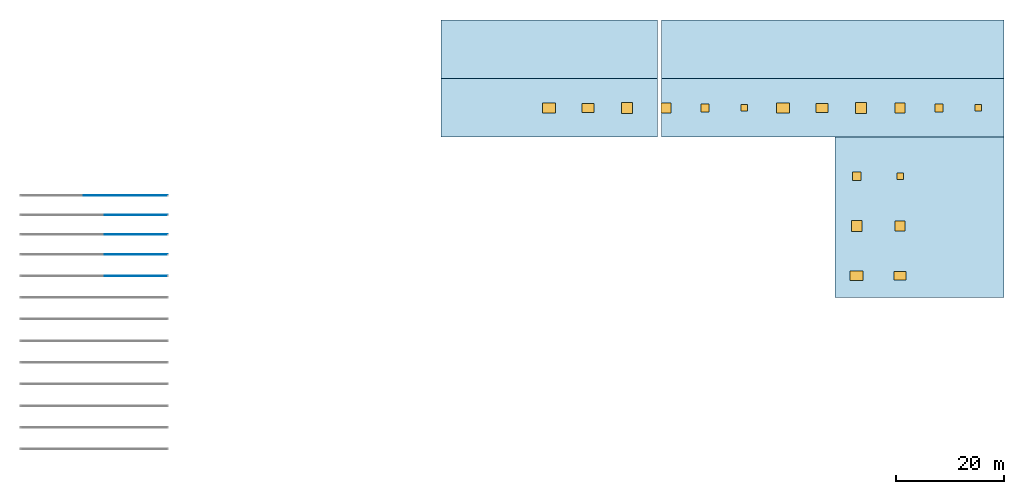
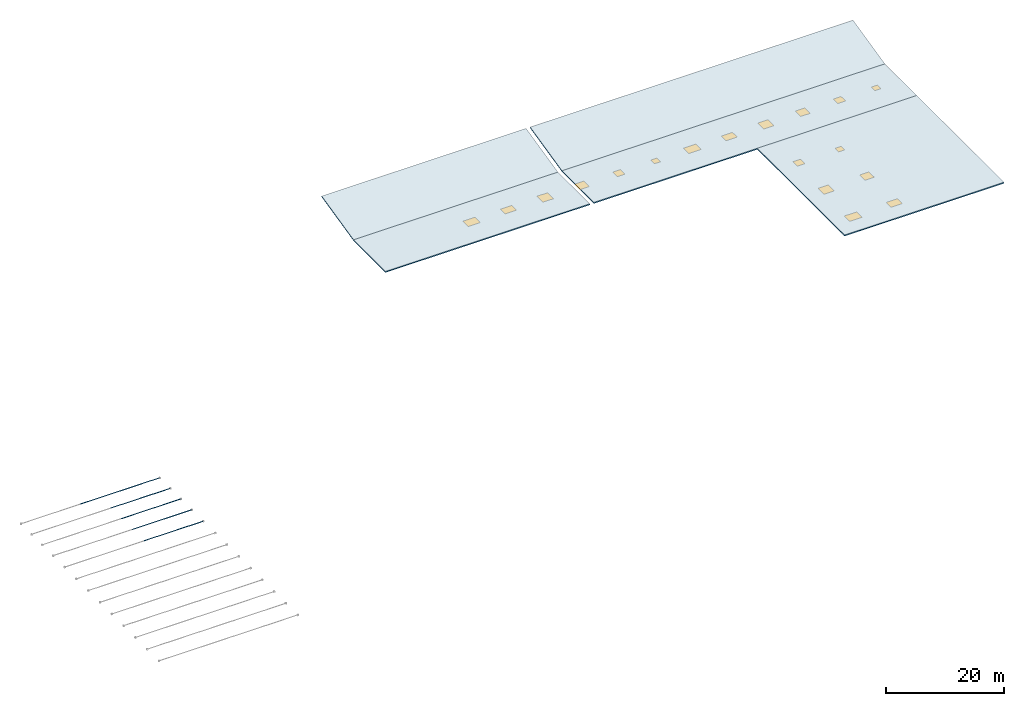
# One storey, part 2 of 4: 18 windows, 16 members, 5 slabs, 18 openings.
"""IFC4 building model written with IfcOpenShell, lengths in metres."""

from ifc_helpers import new_model, si_unit, direction, frame, origin, origin_2d, place, context, subcontext, project, spatial, polyline, rectangle, hollow_circle, outline, extrude, material, layer, layer_set, material_profile, profile_set, type_object, element, fill, save


model = new_model("IFC4")

# Units and contexts
model_context = context("Model", 3, precision=1e-05, world=origin(), true_north=direction((0.0, 1.0)))
body_context = subcontext(model_context, "Body", "Model", "MODEL_VIEW")
ifc_project = project(units=[si_unit("LENGTHUNIT", "METRE"), si_unit("AREAUNIT", "SQUARE_METRE"), si_unit("VOLUMEUNIT", "CUBIC_METRE"), si_unit("PLANEANGLEUNIT", "RADIAN"), si_unit("MASSUNIT", "GRAM", prefix="KILO")], contexts=[model_context])

# Site, building, storey
site_placement = place(None, origin())
site = spatial("IfcSite", under=ifc_project, at=site_placement, CompositionType="ELEMENT")
building_placement = place(site_placement, origin())
building = spatial("IfcBuilding", under=site, at=building_placement, Name="Kharva Crest Polytechnic", CompositionType="ELEMENT")
storey_placement = place(building_placement, frame((0.0, 0.0, 30.0)))
storey = spatial("IfcBuildingStorey", under=building, at=storey_placement, Name="RF", CompositionType="ELEMENT", Elevation=30.0)

# Members
ifc_material_1 = material(Name="Steel S355", Category="steel")
ifc_material_profile = material_profile(ifc_material_1, hollow_circle(Radius=0.04443359375, WallThickness=0.0048828125, at=origin_2d()), Name="CHS 88.9X5.0")
ifc_profile_set = profile_set([ifc_material_profile], Name="Steel S355")
member_type = type_object("IfcMemberType", Name="MEM-CHS88-PR", PredefinedType="PURLIN", material=ifc_profile_set)
member_1_placement = place(storey_placement, frame((17.93994140625, 74.800048828125, -18.488037109375), z_axis=(1.0, 0.0, 0.0), x_axis=(0.0, 1.0, 0.0)))
element("IfcMember", 1, at=member_1_placement, inside=storey, type_object=member_type, Name="Space Frame Roof Purlin 9.5", PredefinedType="PURLIN", context=body_context, shape_type="SweptSolid", body=[
    extrude(hollow_circle(Radius=0.04443359375, WallThickness=0.0048828125, at=origin_2d()), origin(), (0.0, 0.0, 1.0), 3.880126953125),
])
member_2_placement = place(storey_placement, frame((21.820068359375, 74.800048828125, -18.488037109375), z_axis=(1.0, 0.0, 0.0), x_axis=(0.0, 1.0, 0.0)))
element("IfcMember", 2, at=member_2_placement, inside=storey, type_object=member_type, Name="Space Frame Roof Purlin 9.6", PredefinedType="PURLIN", context=body_context, shape_type="SweptSolid", body=[
    extrude(hollow_circle(Radius=0.04443359375, WallThickness=0.0048828125, at=origin_2d()), origin(), (0.0, 0.0, 1.0), 3.8798828125),
])
for number, where, z_axis, x_axis, name in (
    (3, (25.699951171875, 74.800048828125, -18.488037109375), (1.0, 0.0, 0.0), (0.0, 1.0, 0.0), "Space Frame Roof Purlin 9.7"),
    (4, (17.93994140625, 78.699951171875, -18.488037109375), (1.0, 0.0, 0.0), (0.0, 1.0, 0.0), "Space Frame Roof Purlin 10.5"),
):
    element("IfcMember", number, at=place(storey_placement, frame(where, z_axis=z_axis, x_axis=x_axis)), inside=storey, type_object=member_type, Name=name, PredefinedType="PURLIN", context=body_context, shape_type="SweptSolid", body=[
        extrude(hollow_circle(Radius=0.04443359375, WallThickness=0.0048828125, at=origin_2d()), origin(), (0.0, 0.0, 1.0), 3.880126953125),
    ])
member_3_placement = place(storey_placement, frame((21.820068359375, 78.699951171875, -18.488037109375), z_axis=(1.0, 0.0, 0.0), x_axis=(0.0, 1.0, 0.0)))
element("IfcMember", 5, at=member_3_placement, inside=storey, type_object=member_type, Name="Space Frame Roof Purlin 10.6", PredefinedType="PURLIN", context=body_context, shape_type="SweptSolid", body=[
    extrude(hollow_circle(Radius=0.04443359375, WallThickness=0.0048828125, at=origin_2d()), origin(), (0.0, 0.0, 1.0), 3.8798828125),
])
for number, where, z_axis, x_axis, name in (
    (6, (25.699951171875, 78.699951171875, -18.488037109375), (1.0, 0.0, 0.0), (0.0, 1.0, 0.0), "Space Frame Roof Purlin 10.7"),
    (7, (17.93994140625, 82.39990234375, -18.488037109375), (1.0, 0.0, 0.0), (0.0, 1.0, 0.0), "Space Frame Roof Purlin 11.5"),
):
    element("IfcMember", number, at=place(storey_placement, frame(where, z_axis=z_axis, x_axis=x_axis)), inside=storey, type_object=member_type, Name=name, PredefinedType="PURLIN", context=body_context, shape_type="SweptSolid", body=[
        extrude(hollow_circle(Radius=0.04443359375, WallThickness=0.0048828125, at=origin_2d()), origin(), (0.0, 0.0, 1.0), 3.880126953125),
    ])
member_4_placement = place(storey_placement, frame((21.820068359375, 82.39990234375, -18.488037109375), z_axis=(1.0, 0.0, 0.0), x_axis=(0.0, 1.0, 0.0)))
element("IfcMember", 8, at=member_4_placement, inside=storey, type_object=member_type, Name="Space Frame Roof Purlin 11.6", PredefinedType="PURLIN", context=body_context, shape_type="SweptSolid", body=[
    extrude(hollow_circle(Radius=0.04443359375, WallThickness=0.0048828125, at=origin_2d()), origin(), (0.0, 0.0, 1.0), 3.8798828125),
])
for number, where, z_axis, x_axis, name in (
    (9, (25.699951171875, 82.39990234375, -18.488037109375), (1.0, 0.0, 0.0), (0.0, 1.0, 0.0), "Space Frame Roof Purlin 11.7"),
    (10, (17.93994140625, 86.0, -18.488037109375), (1.0, 0.0, 0.0), (0.0, 1.0, 0.0), "Space Frame Roof Purlin 12.5"),
):
    element("IfcMember", number, at=place(storey_placement, frame(where, z_axis=z_axis, x_axis=x_axis)), inside=storey, type_object=member_type, Name=name, PredefinedType="PURLIN", context=body_context, shape_type="SweptSolid", body=[
        extrude(hollow_circle(Radius=0.04443359375, WallThickness=0.0048828125, at=origin_2d()), origin(), (0.0, 0.0, 1.0), 3.880126953125),
    ])
member_5_placement = place(storey_placement, frame((21.820068359375, 86.0, -18.488037109375), z_axis=(1.0, 0.0, 0.0), x_axis=(0.0, 1.0, 0.0)))
element("IfcMember", 11, at=member_5_placement, inside=storey, type_object=member_type, Name="Space Frame Roof Purlin 12.6", PredefinedType="PURLIN", context=body_context, shape_type="SweptSolid", body=[
    extrude(hollow_circle(Radius=0.04443359375, WallThickness=0.0048828125, at=origin_2d()), origin(), (0.0, 0.0, 1.0), 3.8798828125),
])
member_6_placement = place(storey_placement, frame((25.699951171875, 86.0, -18.488037109375), z_axis=(1.0, 0.0, 0.0), x_axis=(0.0, 1.0, 0.0)))
element("IfcMember", 12, at=member_6_placement, inside=storey, type_object=member_type, Name="Space Frame Roof Purlin 12.7", PredefinedType="PURLIN", context=body_context, shape_type="SweptSolid", body=[
    extrude(hollow_circle(Radius=0.04443359375, WallThickness=0.0048828125, at=origin_2d()), origin(), (0.0, 0.0, 1.0), 3.880126953125),
])
member_7_placement = place(storey_placement, frame((14.06005859375, 89.60009765625, -18.488037109375), z_axis=(1.0, 0.0, 0.0), x_axis=(0.0, 1.0, 0.0)))
element("IfcMember", 13, at=member_7_placement, inside=storey, type_object=member_type, Name="Space Frame Roof Purlin 13.4", PredefinedType="PURLIN", context=body_context, shape_type="SweptSolid", body=[
    extrude(hollow_circle(Radius=0.04443359375, WallThickness=0.0048828125, at=origin_2d()), origin(), (0.0, 0.0, 1.0), 3.8798828125),
])
member_8_placement = place(storey_placement, frame((17.93994140625, 89.60009765625, -18.488037109375), z_axis=(1.0, 0.0, 0.0), x_axis=(0.0, 1.0, 0.0)))
element("IfcMember", 14, at=member_8_placement, inside=storey, type_object=member_type, Name="Space Frame Roof Purlin 13.5", PredefinedType="PURLIN", context=body_context, shape_type="SweptSolid", body=[
    extrude(hollow_circle(Radius=0.04443359375, WallThickness=0.0048828125, at=origin_2d()), origin(), (0.0, 0.0, 1.0), 3.880126953125),
])
member_9_placement = place(storey_placement, frame((21.820068359375, 89.60009765625, -18.488037109375), z_axis=(1.0, 0.0, 0.0), x_axis=(0.0, 1.0, 0.0)))
element("IfcMember", 15, at=member_9_placement, inside=storey, type_object=member_type, Name="Space Frame Roof Purlin 13.6", PredefinedType="PURLIN", context=body_context, shape_type="SweptSolid", body=[
    extrude(hollow_circle(Radius=0.04443359375, WallThickness=0.0048828125, at=origin_2d()), origin(), (0.0, 0.0, 1.0), 3.8798828125),
])
member_10_placement = place(storey_placement, frame((25.699951171875, 89.60009765625, -18.488037109375), z_axis=(1.0, 0.0, 0.0), x_axis=(0.0, 1.0, 0.0)))
element("IfcMember", 16, at=member_10_placement, inside=storey, type_object=member_type, Name="Space Frame Roof Purlin 13.7", PredefinedType="PURLIN", context=body_context, shape_type="SweptSolid", body=[
    extrude(hollow_circle(Radius=0.04443359375, WallThickness=0.0048828125, at=origin_2d()), origin(), (0.0, 0.0, 1.0), 3.880126953125),
])

# Slabs
ifc_material_2 = material(Name="Concrete C35/45", Category="concrete")
ifc_layer_1 = layer(ifc_material_2, 0.195068359375, Name="Concrete C35/45")
ifc_layer_set_1 = layer_set([ifc_layer_1], Name="Concrete C35/45")
slab_type_1 = type_object("IfcSlabType", Name="SLB-ROOF-195", PredefinedType="ROOF", material=ifc_layer_set_1)
slab_1_placement = place(storey_placement, frame((80.0, 111.199951171875, 0.0), z_axis=(0.0, -0.22551730499, 0.974239162193), x_axis=(1.0, 0.0, 0.0)))
element("IfcSlab", 17, at=slab_1_placement, inside=storey, type_object=slab_type_1, Name="RF North Wing Clerestory Sloped Roof W", PredefinedType="ROOF", context=body_context, shape_type="SweptSolid", body=[
    extrude(outline(polyline([(0.0, 0.0), (40.0, 0.0), (40.0, 11.085623784428378), (0.0, 11.085623784428378), (0.0, 0.0)])), origin(), (0.0, 0.0, -1.0), 0.195068359375),
])
slab_2_placement = place(storey_placement, frame((120.800048828125, 111.199951171875, 0.0), z_axis=(0.0, -0.22551730499, 0.974239162193), x_axis=(1.0, 0.0, 0.0)))
element("IfcSlab", 18, at=slab_2_placement, inside=storey, type_object=slab_type_1, Name="RF North Wing Clerestory Sloped Roof E", PredefinedType="ROOF", context=body_context, shape_type="SweptSolid", body=[
    extrude(outline(polyline([(0.0, 0.0), (63.199951171875, 0.0), (63.199951171875, 11.085623784428378), (0.0, 11.085623784428378), (0.0, 0.0)])), origin(), (0.0, 0.0, -1.0), 0.195068359375),
])

# Slab, openings, windows
ifc_layer_2 = layer(ifc_material_2, 0.22509765625, Name="Concrete C35/45")
ifc_layer_set_2 = layer_set([ifc_layer_2], Name="Concrete C35/45")
slab_type_2 = type_object("IfcSlabType", Name="SLB-ROOF-225", PredefinedType="ROOF", material=ifc_layer_set_2)
slab_3_placement = place(storey_placement, frame((0.0, 0.0, -0.22509765625)))
slab_3 = element("IfcSlab", 19, at=slab_3_placement, inside=storey, type_object=slab_type_2, Name="RF North Wing South Roof Slab W", PredefinedType="ROOF", context=body_context, shape_type="SweptSolid", body=[
    extrude(outline(polyline([(80.0, 100.39990234375), (120.0, 100.39990234375), (120.0, 111.199951171875), (80.0, 111.199951171875), (80.0, 100.39990234375)])), origin(), (0.0, 0.0, 1.0), 0.22509765625),
])
opening_1_placement = place(slab_3_placement, frame((100.0, 105.800048828125, 0.0), z_axis=(0.0, 0.0, 1.0), x_axis=(1.0, 0.0, 0.0)))
opening_1 = element("IfcOpeningElement", 20, at=opening_1_placement, cuts=slab_3, Name="Opening SK1", PredefinedType="OPENING", context=body_context, shape_type="SweptSolid", body=[
    extrude(rectangle(XDim=2.39990234375, YDim=1.800048828125, at=origin_2d()), origin(), (0.0, 0.0, 1.0), 0.22509765625),
])
opening_2_placement = place(slab_3_placement, frame((107.199951171875, 105.800048828125, 0.0), z_axis=(0.0, 0.0, 1.0), x_axis=(1.0, 0.0, 0.0)))
opening_2 = element("IfcOpeningElement", 21, at=opening_2_placement, cuts=slab_3, Name="Opening SK2", PredefinedType="OPENING", context=body_context, shape_type="SweptSolid", body=[
    extrude(rectangle(XDim=2.199951171875, YDim=1.60009765625, at=origin_2d()), origin(), (0.0, 0.0, 1.0), 0.22509765625),
])
opening_3_placement = place(slab_3_placement, frame((114.39990234375, 105.800048828125, 0.0), z_axis=(0.0, 0.0, 1.0), x_axis=(1.0, 0.0, 0.0)))
opening_3 = element("IfcOpeningElement", 22, at=opening_3_placement, cuts=slab_3, Name="Opening SK3", PredefinedType="OPENING", context=body_context, shape_type="SweptSolid", body=[
    extrude(rectangle(XDim=2.0, YDim=2.0, at=origin_2d()), origin(), (0.0, 0.0, 1.0), 0.22509765625),
])
ifc_material_3 = material(Name="Anodised aluminium", Category="aluminium")
window_type_1 = type_object("IfcWindowType", Name="SKY-ALU-2000X2000", PartitioningType="SINGLE_PANEL", PredefinedType="SKYLIGHT", material=ifc_material_3)
window_1_placement = place(opening_3_placement, frame((0.0, 0.0, 0.175048828125)))
window_1 = element("IfcWindow", 23, at=window_1_placement, inside=storey, type_object=window_type_1, Name="RF North Studio Skylight 3", OverallHeight=2.0, OverallWidth=2.0, PartitioningType="SINGLE_PANEL", PredefinedType="SKYLIGHT", context=body_context, shape_type="SweptSolid", body=[
    extrude(rectangle(XDim=2.0, YDim=2.0, at=origin_2d()), origin(), (0.0, 0.0, 1.0), 0.050048828125),
])
fill(opening_3, window_1)
window_type_2 = type_object("IfcWindowType", Name="SKY-ALU-2200X1600", PartitioningType="SINGLE_PANEL", PredefinedType="SKYLIGHT", material=ifc_material_3)
window_2_placement = place(opening_2_placement, frame((0.0, 0.0, 0.175048828125)))
window_2 = element("IfcWindow", 24, at=window_2_placement, inside=storey, type_object=window_type_2, Name="RF North Studio Skylight 2", OverallHeight=1.60009765625, OverallWidth=2.199951171875, PartitioningType="SINGLE_PANEL", PredefinedType="SKYLIGHT", context=body_context, shape_type="SweptSolid", body=[
    extrude(rectangle(XDim=2.199951171875, YDim=1.60009765625, at=origin_2d()), origin(), (0.0, 0.0, 1.0), 0.050048828125),
])
fill(opening_2, window_2)
window_type_3 = type_object("IfcWindowType", Name="SKY-ALU-2400X1800", PartitioningType="SINGLE_PANEL", PredefinedType="SKYLIGHT", material=ifc_material_3)
window_3_placement = place(opening_1_placement, frame((0.0, 0.0, 0.175048828125)))
window_3 = element("IfcWindow", 25, at=window_3_placement, inside=storey, type_object=window_type_3, Name="RF North Studio Skylight 1", OverallHeight=1.800048828125, OverallWidth=2.39990234375, PartitioningType="SINGLE_PANEL", PredefinedType="SKYLIGHT", context=body_context, shape_type="SweptSolid", body=[
    extrude(rectangle(XDim=2.39990234375, YDim=1.800048828125, at=origin_2d()), origin(), (0.0, 0.0, 1.0), 0.050048828125),
])
fill(opening_1, window_3)

slab_4_placement = place(storey_placement, frame((0.0, 0.0, -0.22509765625)))
slab_4 = element("IfcSlab", 26, at=slab_4_placement, inside=storey, type_object=slab_type_2, Name="RF North Wing South Roof Slab E", PredefinedType="ROOF", context=body_context, shape_type="SweptSolid", body=[
    extrude(outline(polyline([(120.800048828125, 100.39990234375), (184.0, 100.39990234375), (184.0, 111.199951171875), (120.800048828125, 111.199951171875), (120.800048828125, 100.39990234375)])), origin(), (0.0, 0.0, 1.0), 0.22509765625),
])
opening_4_placement = place(slab_4_placement, frame((121.60009765625, 105.800048828125, 0.0), z_axis=(0.0, 0.0, 1.0), x_axis=(1.0, 0.0, 0.0)))
opening_4 = element("IfcOpeningElement", 27, at=opening_4_placement, cuts=slab_4, Name="Opening SK4", PredefinedType="OPENING", context=body_context, shape_type="SweptSolid", body=[
    extrude(rectangle(XDim=1.800048828125, YDim=1.800048828125, at=origin_2d()), origin(), (0.0, 0.0, 1.0), 0.22509765625),
])
opening_5_placement = place(slab_4_placement, frame((128.800048828125, 105.800048828125, 0.0), z_axis=(0.0, 0.0, 1.0), x_axis=(1.0, 0.0, 0.0)))
opening_5 = element("IfcOpeningElement", 28, at=opening_5_placement, cuts=slab_4, Name="Opening SK5", PredefinedType="OPENING", context=body_context, shape_type="SweptSolid", body=[
    extrude(rectangle(XDim=1.5, YDim=1.5, at=origin_2d()), origin(), (0.0, 0.0, 1.0), 0.22509765625),
])
opening_6_placement = place(slab_4_placement, frame((136.0, 105.800048828125, 0.0), z_axis=(0.0, 0.0, 1.0), x_axis=(1.0, 0.0, 0.0)))
opening_6 = element("IfcOpeningElement", 29, at=opening_6_placement, cuts=slab_4, Name="Opening SK6", PredefinedType="OPENING", context=body_context, shape_type="SweptSolid", body=[
    extrude(rectangle(XDim=1.199951171875, YDim=1.199951171875, at=origin_2d()), origin(), (0.0, 0.0, 1.0), 0.22509765625),
])
opening_7_placement = place(slab_4_placement, frame((143.199951171875, 105.800048828125, 0.0), z_axis=(0.0, 0.0, 1.0), x_axis=(1.0, 0.0, 0.0)))
opening_7 = element("IfcOpeningElement", 30, at=opening_7_placement, cuts=slab_4, Name="Opening SK1", PredefinedType="OPENING", context=body_context, shape_type="SweptSolid", body=[
    extrude(rectangle(XDim=2.39990234375, YDim=1.800048828125, at=origin_2d()), origin(), (0.0, 0.0, 1.0), 0.22509765625),
])
opening_8_placement = place(slab_4_placement, frame((150.39990234375, 105.800048828125, 0.0), z_axis=(0.0, 0.0, 1.0), x_axis=(1.0, 0.0, 0.0)))
opening_8 = element("IfcOpeningElement", 31, at=opening_8_placement, cuts=slab_4, Name="Opening SK2", PredefinedType="OPENING", context=body_context, shape_type="SweptSolid", body=[
    extrude(rectangle(XDim=2.199951171875, YDim=1.60009765625, at=origin_2d()), origin(), (0.0, 0.0, 1.0), 0.22509765625),
])
opening_9_placement = place(slab_4_placement, frame((157.60009765625, 105.800048828125, 0.0), z_axis=(0.0, 0.0, 1.0), x_axis=(1.0, 0.0, 0.0)))
opening_9 = element("IfcOpeningElement", 32, at=opening_9_placement, cuts=slab_4, Name="Opening SK3", PredefinedType="OPENING", context=body_context, shape_type="SweptSolid", body=[
    extrude(rectangle(XDim=2.0, YDim=2.0, at=origin_2d()), origin(), (0.0, 0.0, 1.0), 0.22509765625),
])
opening_10_placement = place(slab_4_placement, frame((164.800048828125, 105.800048828125, 0.0), z_axis=(0.0, 0.0, 1.0), x_axis=(1.0, 0.0, 0.0)))
opening_10 = element("IfcOpeningElement", 33, at=opening_10_placement, cuts=slab_4, Name="Opening SK4", PredefinedType="OPENING", context=body_context, shape_type="SweptSolid", body=[
    extrude(rectangle(XDim=1.800048828125, YDim=1.800048828125, at=origin_2d()), origin(), (0.0, 0.0, 1.0), 0.22509765625),
])
opening_11_placement = place(slab_4_placement, frame((172.0, 105.800048828125, 0.0), z_axis=(0.0, 0.0, 1.0), x_axis=(1.0, 0.0, 0.0)))
opening_11 = element("IfcOpeningElement", 34, at=opening_11_placement, cuts=slab_4, Name="Opening SK5", PredefinedType="OPENING", context=body_context, shape_type="SweptSolid", body=[
    extrude(rectangle(XDim=1.5, YDim=1.5, at=origin_2d()), origin(), (0.0, 0.0, 1.0), 0.22509765625),
])
opening_12_placement = place(slab_4_placement, frame((179.199951171875, 105.800048828125, 0.0), z_axis=(0.0, 0.0, 1.0), x_axis=(1.0, 0.0, 0.0)))
opening_12 = element("IfcOpeningElement", 35, at=opening_12_placement, cuts=slab_4, Name="Opening SK6", PredefinedType="OPENING", context=body_context, shape_type="SweptSolid", body=[
    extrude(rectangle(XDim=1.199951171875, YDim=1.199951171875, at=origin_2d()), origin(), (0.0, 0.0, 1.0), 0.22509765625),
])
window_type_4 = type_object("IfcWindowType", Name="SKY-ALU-1500X1500", PartitioningType="SINGLE_PANEL", PredefinedType="SKYLIGHT", material=ifc_material_3)
window_4_placement = place(opening_5_placement, frame((0.0, 0.0, 0.175048828125)))
window_4 = element("IfcWindow", 36, at=window_4_placement, inside=storey, type_object=window_type_4, Name="RF North Studio Skylight 5", OverallHeight=1.5, OverallWidth=1.5, PartitioningType="SINGLE_PANEL", PredefinedType="SKYLIGHT", context=body_context, shape_type="SweptSolid", body=[
    extrude(rectangle(XDim=1.5, YDim=1.5, at=origin_2d()), origin(), (0.0, 0.0, 1.0), 0.050048828125),
])
fill(opening_5, window_4)
window_5_placement = place(opening_11_placement, frame((0.0, 0.0, 0.175048828125)))
window_5 = element("IfcWindow", 37, at=window_5_placement, inside=storey, type_object=window_type_4, Name="RF North Studio Skylight 11", OverallHeight=1.5, OverallWidth=1.5, PartitioningType="SINGLE_PANEL", PredefinedType="SKYLIGHT", context=body_context, shape_type="SweptSolid", body=[
    extrude(rectangle(XDim=1.5, YDim=1.5, at=origin_2d()), origin(), (0.0, 0.0, 1.0), 0.050048828125),
])
fill(opening_11, window_5)
window_type_5 = type_object("IfcWindowType", Name="SKY-ALU-1800X1800", PartitioningType="SINGLE_PANEL", PredefinedType="SKYLIGHT", material=ifc_material_3)
window_6_placement = place(opening_4_placement, frame((0.0, 0.0, 0.175048828125)))
window_6 = element("IfcWindow", 38, at=window_6_placement, inside=storey, type_object=window_type_5, Name="RF North Studio Skylight 4", OverallHeight=1.800048828125, OverallWidth=1.800048828125, PartitioningType="SINGLE_PANEL", PredefinedType="SKYLIGHT", context=body_context, shape_type="SweptSolid", body=[
    extrude(rectangle(XDim=1.800048828125, YDim=1.800048828125, at=origin_2d()), origin(), (0.0, 0.0, 1.0), 0.050048828125),
])
fill(opening_4, window_6)
window_7_placement = place(opening_10_placement, frame((0.0, 0.0, 0.175048828125)))
window_7 = element("IfcWindow", 39, at=window_7_placement, inside=storey, type_object=window_type_5, Name="RF North Studio Skylight 10", OverallHeight=1.800048828125, OverallWidth=1.800048828125, PartitioningType="SINGLE_PANEL", PredefinedType="SKYLIGHT", context=body_context, shape_type="SweptSolid", body=[
    extrude(rectangle(XDim=1.800048828125, YDim=1.800048828125, at=origin_2d()), origin(), (0.0, 0.0, 1.0), 0.050048828125),
])
fill(opening_10, window_7)
window_8_placement = place(opening_9_placement, frame((0.0, 0.0, 0.175048828125)))
window_8 = element("IfcWindow", 40, at=window_8_placement, inside=storey, type_object=window_type_1, Name="RF North Studio Skylight 9", OverallHeight=2.0, OverallWidth=2.0, PartitioningType="SINGLE_PANEL", PredefinedType="SKYLIGHT", context=body_context, shape_type="SweptSolid", body=[
    extrude(rectangle(XDim=2.0, YDim=2.0, at=origin_2d()), origin(), (0.0, 0.0, 1.0), 0.050048828125),
])
fill(opening_9, window_8)
window_9_placement = place(opening_8_placement, frame((0.0, 0.0, 0.175048828125)))
window_9 = element("IfcWindow", 41, at=window_9_placement, inside=storey, type_object=window_type_2, Name="RF North Studio Skylight 8", OverallHeight=1.60009765625, OverallWidth=2.199951171875, PartitioningType="SINGLE_PANEL", PredefinedType="SKYLIGHT", context=body_context, shape_type="SweptSolid", body=[
    extrude(rectangle(XDim=2.199951171875, YDim=1.60009765625, at=origin_2d()), origin(), (0.0, 0.0, 1.0), 0.050048828125),
])
fill(opening_8, window_9)
window_10_placement = place(opening_7_placement, frame((0.0, 0.0, 0.175048828125)))
window_10 = element("IfcWindow", 42, at=window_10_placement, inside=storey, type_object=window_type_3, Name="RF North Studio Skylight 7", OverallHeight=1.800048828125, OverallWidth=2.39990234375, PartitioningType="SINGLE_PANEL", PredefinedType="SKYLIGHT", context=body_context, shape_type="SweptSolid", body=[
    extrude(rectangle(XDim=2.39990234375, YDim=1.800048828125, at=origin_2d()), origin(), (0.0, 0.0, 1.0), 0.050048828125),
])
fill(opening_7, window_10)
window_type_6 = type_object("IfcWindowType", Name="SKY-HTCH-1200X1200", PartitioningType="SINGLE_PANEL", PredefinedType="SKYLIGHT", material=ifc_material_3)
window_11_placement = place(opening_6_placement, frame((0.0, 0.0, 0.175048828125)))
window_11 = element("IfcWindow", 43, at=window_11_placement, inside=storey, type_object=window_type_6, Name="RF North Studio Skylight 6", OverallHeight=1.199951171875, OverallWidth=1.199951171875, PartitioningType="SINGLE_PANEL", PredefinedType="SKYLIGHT", context=body_context, shape_type="SweptSolid", body=[
    extrude(rectangle(XDim=1.199951171875, YDim=1.199951171875, at=origin_2d()), origin(), (0.0, 0.0, 1.0), 0.050048828125),
])
fill(opening_6, window_11)
window_12_placement = place(opening_12_placement, frame((0.0, 0.0, 0.175048828125)))
window_12 = element("IfcWindow", 44, at=window_12_placement, inside=storey, type_object=window_type_6, Name="RF North Studio Skylight 12", OverallHeight=1.199951171875, OverallWidth=1.199951171875, PartitioningType="SINGLE_PANEL", PredefinedType="SKYLIGHT", context=body_context, shape_type="SweptSolid", body=[
    extrude(rectangle(XDim=1.199951171875, YDim=1.199951171875, at=origin_2d()), origin(), (0.0, 0.0, 1.0), 0.050048828125),
])
fill(opening_12, window_12)

slab_5_placement = place(storey_placement, frame((0.0, 0.0, -0.22509765625)))
slab_5 = element("IfcSlab", 45, at=slab_5_placement, inside=storey, type_object=slab_type_2, Name="RF East Crest Wing Roof Slab", PredefinedType="ROOF", context=body_context, shape_type="SweptSolid", body=[
    extrude(outline(polyline([(152.800048828125, 70.800048828125), (184.0, 70.800048828125), (184.0, 100.39990234375), (152.800048828125, 100.39990234375), (152.800048828125, 70.800048828125)])), origin(), (0.0, 0.0, 1.0), 0.22509765625),
])
opening_13_placement = place(slab_5_placement, frame((156.800048828125, 74.800048828125, 0.0), z_axis=(0.0, 0.0, 1.0), x_axis=(1.0, 0.0, 0.0)))
opening_13 = element("IfcOpeningElement", 46, at=opening_13_placement, cuts=slab_5, Name="Opening SK1", PredefinedType="OPENING", context=body_context, shape_type="SweptSolid", body=[
    extrude(rectangle(XDim=2.39990234375, YDim=1.800048828125, at=origin_2d()), origin(), (0.0, 0.0, 1.0), 0.22509765625),
])
opening_14_placement = place(slab_5_placement, frame((164.800048828125, 74.800048828125, 0.0), z_axis=(0.0, 0.0, 1.0), x_axis=(1.0, 0.0, 0.0)))
opening_14 = element("IfcOpeningElement", 47, at=opening_14_placement, cuts=slab_5, Name="Opening SK2", PredefinedType="OPENING", context=body_context, shape_type="SweptSolid", body=[
    extrude(rectangle(XDim=2.199951171875, YDim=1.60009765625, at=origin_2d()), origin(), (0.0, 0.0, 1.0), 0.22509765625),
])
opening_15_placement = place(slab_5_placement, frame((156.800048828125, 84.0, 0.0), z_axis=(0.0, 0.0, 1.0), x_axis=(1.0, 0.0, 0.0)))
opening_15 = element("IfcOpeningElement", 48, at=opening_15_placement, cuts=slab_5, Name="Opening SK3", PredefinedType="OPENING", context=body_context, shape_type="SweptSolid", body=[
    extrude(rectangle(XDim=2.0, YDim=2.0, at=origin_2d()), origin(), (0.0, 0.0, 1.0), 0.22509765625),
])
opening_16_placement = place(slab_5_placement, frame((164.800048828125, 84.0, 0.0), z_axis=(0.0, 0.0, 1.0), x_axis=(1.0, 0.0, 0.0)))
opening_16 = element("IfcOpeningElement", 49, at=opening_16_placement, cuts=slab_5, Name="Opening SK4", PredefinedType="OPENING", context=body_context, shape_type="SweptSolid", body=[
    extrude(rectangle(XDim=1.800048828125, YDim=1.800048828125, at=origin_2d()), origin(), (0.0, 0.0, 1.0), 0.22509765625),
])
opening_17_placement = place(slab_5_placement, frame((156.800048828125, 93.199951171875, 0.0), z_axis=(0.0, 0.0, 1.0), x_axis=(1.0, 0.0, 0.0)))
opening_17 = element("IfcOpeningElement", 50, at=opening_17_placement, cuts=slab_5, Name="Opening SK5", PredefinedType="OPENING", context=body_context, shape_type="SweptSolid", body=[
    extrude(rectangle(XDim=1.5, YDim=1.5, at=origin_2d()), origin(), (0.0, 0.0, 1.0), 0.22509765625),
])
opening_18_placement = place(slab_5_placement, frame((164.800048828125, 93.199951171875, 0.0), z_axis=(0.0, 0.0, 1.0), x_axis=(1.0, 0.0, 0.0)))
opening_18 = element("IfcOpeningElement", 51, at=opening_18_placement, cuts=slab_5, Name="Opening SK6", PredefinedType="OPENING", context=body_context, shape_type="SweptSolid", body=[
    extrude(rectangle(XDim=1.199951171875, YDim=1.199951171875, at=origin_2d()), origin(), (0.0, 0.0, 1.0), 0.22509765625),
])
window_13_placement = place(opening_17_placement, frame((0.0, 0.0, 0.175048828125)))
window_13 = element("IfcWindow", 52, at=window_13_placement, inside=storey, type_object=window_type_4, Name="RF East Studio Skylight 17", OverallHeight=1.5, OverallWidth=1.5, PartitioningType="SINGLE_PANEL", PredefinedType="SKYLIGHT", context=body_context, shape_type="SweptSolid", body=[
    extrude(rectangle(XDim=1.5, YDim=1.5, at=origin_2d()), origin(), (0.0, 0.0, 1.0), 0.050048828125),
])
fill(opening_17, window_13)
window_14_placement = place(opening_16_placement, frame((0.0, 0.0, 0.175048828125)))
window_14 = element("IfcWindow", 53, at=window_14_placement, inside=storey, type_object=window_type_5, Name="RF East Studio Skylight 16", OverallHeight=1.800048828125, OverallWidth=1.800048828125, PartitioningType="SINGLE_PANEL", PredefinedType="SKYLIGHT", context=body_context, shape_type="SweptSolid", body=[
    extrude(rectangle(XDim=1.800048828125, YDim=1.800048828125, at=origin_2d()), origin(), (0.0, 0.0, 1.0), 0.050048828125),
])
fill(opening_16, window_14)
window_15_placement = place(opening_15_placement, frame((0.0, 0.0, 0.175048828125)))
window_15 = element("IfcWindow", 54, at=window_15_placement, inside=storey, type_object=window_type_1, Name="RF East Studio Skylight 15", OverallHeight=2.0, OverallWidth=2.0, PartitioningType="SINGLE_PANEL", PredefinedType="SKYLIGHT", context=body_context, shape_type="SweptSolid", body=[
    extrude(rectangle(XDim=2.0, YDim=2.0, at=origin_2d()), origin(), (0.0, 0.0, 1.0), 0.050048828125),
])
fill(opening_15, window_15)
window_16_placement = place(opening_14_placement, frame((0.0, 0.0, 0.175048828125)))
window_16 = element("IfcWindow", 55, at=window_16_placement, inside=storey, type_object=window_type_2, Name="RF East Studio Skylight 14", OverallHeight=1.60009765625, OverallWidth=2.199951171875, PartitioningType="SINGLE_PANEL", PredefinedType="SKYLIGHT", context=body_context, shape_type="SweptSolid", body=[
    extrude(rectangle(XDim=2.199951171875, YDim=1.60009765625, at=origin_2d()), origin(), (0.0, 0.0, 1.0), 0.050048828125),
])
fill(opening_14, window_16)
window_17_placement = place(opening_13_placement, frame((0.0, 0.0, 0.175048828125)))
window_17 = element("IfcWindow", 56, at=window_17_placement, inside=storey, type_object=window_type_3, Name="RF East Studio Skylight 13", OverallHeight=1.800048828125, OverallWidth=2.39990234375, PartitioningType="SINGLE_PANEL", PredefinedType="SKYLIGHT", context=body_context, shape_type="SweptSolid", body=[
    extrude(rectangle(XDim=2.39990234375, YDim=1.800048828125, at=origin_2d()), origin(), (0.0, 0.0, 1.0), 0.050048828125),
])
fill(opening_13, window_17)
window_18_placement = place(opening_18_placement, frame((0.0, 0.0, 0.175048828125)))
window_18 = element("IfcWindow", 57, at=window_18_placement, inside=storey, type_object=window_type_6, Name="RF East Studio Skylight 18", OverallHeight=1.199951171875, OverallWidth=1.199951171875, PartitioningType="SINGLE_PANEL", PredefinedType="SKYLIGHT", context=body_context, shape_type="SweptSolid", body=[
    extrude(rectangle(XDim=1.199951171875, YDim=1.199951171875, at=origin_2d()), origin(), (0.0, 0.0, 1.0), 0.050048828125),
])
fill(opening_18, window_18)

save(model, "model.ifc")
